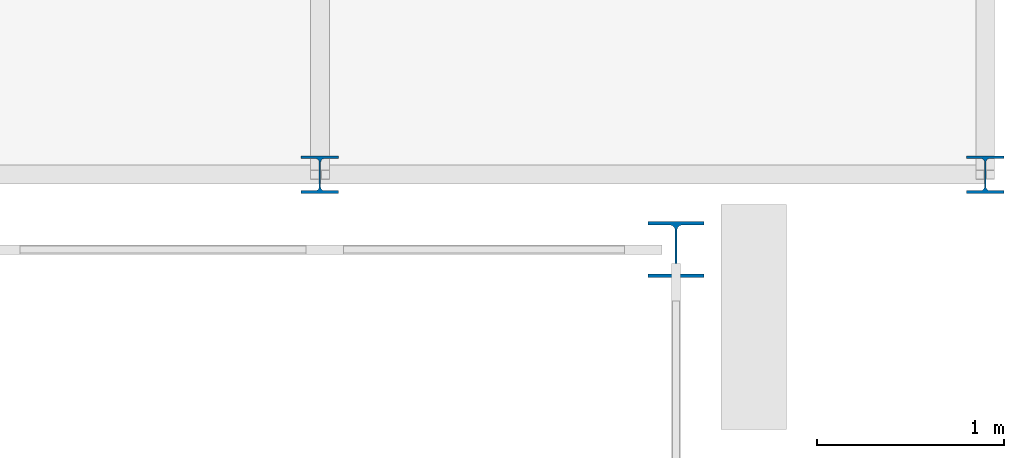
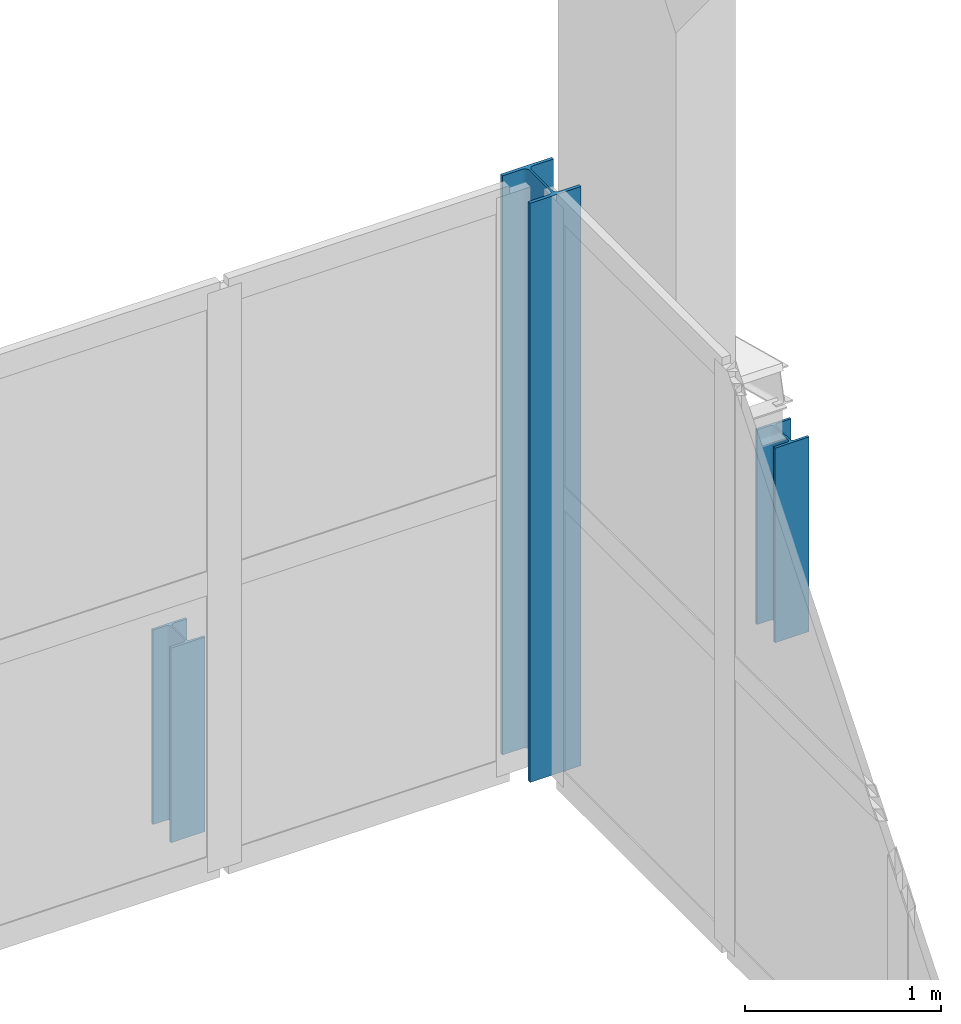
# One storey, part 24 of 124: 3 columns.
"""IFC4 building model written with IfcOpenShell, lengths in metres."""

import ifcopenshell
import ifcopenshell.guid

model = None  # the IFC model being written
_history = None  # IfcOwnerHistory: only IFC2X3 demands one
_inside = {}  # id of a spatial element -> (the spatial element, [elements in it])
_under = {}  # id of a project, library or spatial element -> (it, [spatial elements below it])
_declared = {}  # id of a project -> (the project, [libraries it declares])
_typed = {}  # id of a type object -> (the type object, [elements of that type])
_made_of = {}  # id of a material, layer set ... -> (it, [elements and type objects made of it])


def new_model(schema):
    """Start an empty IFC model of exactly this schema.

    Asked for "IFC4X3", IfcOpenShell would pick the latest addendum, in which some entities
    have other attributes; the version numbers below select the first issue.
    IFC2X3 requires an IfcOwnerHistory on every rooted entity: one is made here for all.
    """
    global model, _history
    if schema == "IFC4X3":
        model = ifcopenshell.file(schema_version=(4, 3, 0, 0))
    else:
        model = ifcopenshell.file(schema=schema)
    _inside.clear()
    _under.clear()
    _declared.clear()
    _typed.clear()
    _made_of.clear()
    _history = None
    if model.schema == "IFC2X3":
        org = make("IfcOrganization", Name="unknown")
        user = make(
            "IfcPersonAndOrganization",
            ThePerson=make("IfcPerson", FamilyName="unknown"),
            TheOrganization=org,
        )
        app = make(
            "IfcApplication",
            ApplicationDeveloper=org,
            Version="unknown",
            ApplicationFullName="unknown",
            ApplicationIdentifier="unknown",
        )
        _history = make(
            "IfcOwnerHistory",
            OwningUser=user,
            OwningApplication=app,
            ChangeAction="ADDED",
            CreationDate=0,
        )
    return model


def make(cls, **values):
    """One entity of the class cls with the attributes given. An attribute that is None is left unset."""
    return model.create_entity(
        cls, **{name: value for name, value in values.items() if value is not None}
    )


def rooted(cls, **values):
    """An entity with a GlobalId (a new one), such as an element, a storey or a relation."""
    return make(cls, GlobalId=ifcopenshell.guid.new(), OwnerHistory=_history, **values)


def si_unit(unit_type, name, prefix=None):
    """IfcSIUnit, for example si_unit("LENGTHUNIT", "METRE", prefix="MILLI")."""
    return make("IfcSIUnit", UnitType=unit_type, Prefix=prefix, Name=name)


def assignment(units):
    """IfcUnitAssignment: the units of a project."""
    return None if units is None else make("IfcUnitAssignment", Units=units)


def point(xyz):
    """IfcCartesianPoint."""
    return None if xyz is None else make("IfcCartesianPoint", Coordinates=xyz)


def direction(xyz):
    """IfcDirection."""
    return None if xyz is None else make("IfcDirection", DirectionRatios=xyz)


def frame(location, z_axis=None, x_axis=None):
    """IfcAxis2Placement3D, a coordinate frame: its origin and axes. An axis left out is left unset."""
    return make(
        "IfcAxis2Placement3D",
        Location=point(location),
        Axis=direction(z_axis),
        RefDirection=direction(x_axis),
    )


def frame_2d(location, x_axis=None):
    """IfcAxis2Placement2D, a coordinate frame in the plane: its origin and x axis."""
    return make(
        "IfcAxis2Placement2D", Location=point(location), RefDirection=direction(x_axis)
    )


def origin():
    """The frame at (0, 0, 0) with its axes left unset."""
    return frame((0.0, 0.0, 0.0))


def origin_2d():
    """The frame at (0, 0) in the plane with its x axis left unset."""
    return frame_2d((0.0, 0.0))


def place(relative_to, where):
    """IfcLocalPlacement: puts the frame where relative to a parent placement (None: the world)."""
    return make(
        "IfcLocalPlacement", PlacementRelTo=relative_to, RelativePlacement=where
    )


def context(
    kind, dimensions, precision=None, world=None, true_north=None, identifier=None
):
    """IfcGeometricRepresentationContext, for example the 3D "Model" context."""
    return make(
        "IfcGeometricRepresentationContext",
        ContextIdentifier=identifier,
        ContextType=kind,
        CoordinateSpaceDimension=dimensions,
        Precision=precision,
        WorldCoordinateSystem=world,
        TrueNorth=true_north,
    )


def subcontext(parent, identifier, kind, view, scale=None):
    """IfcGeometricRepresentationSubContext, for example "Body" below "Model"."""
    return make(
        "IfcGeometricRepresentationSubContext",
        ContextIdentifier=identifier,
        ContextType=kind,
        ParentContext=parent,
        TargetScale=scale,
        TargetView=view,
    )


def project(units=None, contexts=None):
    """IfcProject with its units and contexts."""
    return rooted(
        "IfcProject",
        Name="project",
        RepresentationContexts=contexts,
        UnitsInContext=assignment(units),
    )


def spatial(cls, under=None, at=None, **own):
    """A site, building, storey or space (cls), placed at a placement, below another one or the project."""
    s = rooted(cls, ObjectPlacement=at, **own)
    if under is not None:
        _under.setdefault(under.id(), (under, []))[1].append(s)
    return s


def profile(cls, at=None, kind="AREA", **sizes):
    """A parametric profile (cls). Its sizes go by their IFC names, for example OverallWidth=200.0."""
    return make(cls, ProfileType=kind, Position=at, **sizes)


def i_section(**sizes):
    """IfcIShapeProfileDef."""
    return profile("IfcIShapeProfileDef", **sizes)


def extrude(swept, where, along, depth):
    """IfcExtrudedAreaSolid: the profile swept, set in the frame where, extruded along a direction by depth."""
    return make(
        "IfcExtrudedAreaSolid",
        SweptArea=swept,
        Position=where,
        ExtrudedDirection=direction(along),
        Depth=depth,
    )


def shape(context_of_items, identifier, shape_type, items):
    """IfcShapeRepresentation: the items that make up one representation, for example the "Body"."""
    return make(
        "IfcShapeRepresentation",
        ContextOfItems=context_of_items,
        RepresentationIdentifier=identifier,
        RepresentationType=shape_type,
        Items=items,
    )


def material(Name=None, Category=None):
    """IfcMaterial."""
    return make("IfcMaterial", Name=Name, Category=Category)


def material_profile(
    of_material, cross_section, Name=None, Category=None, Priority=None
):
    """IfcMaterialProfile: a cross section and its material."""
    return make(
        "IfcMaterialProfile",
        Name=Name,
        Material=of_material,
        Profile=cross_section,
        Priority=Priority,
        Category=Category,
    )


def profile_set(profiles, Name=None, composite=None):
    """IfcMaterialProfileSet."""
    return make(
        "IfcMaterialProfileSet",
        Name=Name,
        MaterialProfiles=profiles,
        CompositeProfile=composite,
    )


def made_of(thing, what):
    """Note that an element or type object is made of a material, layer set ...; save() writes the relation."""
    if what is not None:
        _made_of.setdefault(what.id(), (what, []))[1].append(thing)
    return thing


def type_object(cls, material=None, **own):
    """A type object (cls), such as IfcWallType, which elements share."""
    return made_of(rooted(cls, **own), material)


def element(
    cls,
    number,
    at=None,
    inside=None,
    cuts=None,
    type_object=None,
    material=None,
    context=None,
    identifier="Body",
    shape_type=None,
    held_by="IfcProductDefinitionShape",
    body=None,
    shapes=None,
    **own,
):
    """One element of the class cls, such as IfcWall. Its Tag is "e" and its number.

    at: its placement. inside: the storey or other place that contains it. cuts: it is an
    opening in that element (IfcRelVoidsElement). A single representation is given by context,
    identifier, shape_type and body (its items); several are given by shapes. held_by: the class
    of the entity that holds the representations. save() writes the other relations.
    """
    e = rooted(cls, Tag="e%d" % number, ObjectPlacement=at, **own)
    if body is not None:
        shapes = [shape(context, identifier, shape_type, body)]
    if shapes is not None:
        e.Representation = make(held_by, Representations=shapes)
    if inside is not None:
        _inside.setdefault(inside.id(), (inside, []))[1].append(e)
    if cuts is not None:
        rooted(
            "IfcRelVoidsElement", RelatingBuildingElement=cuts, RelatedOpeningElement=e
        )
    if type_object is not None:
        _typed.setdefault(type_object.id(), (type_object, []))[1].append(e)
    return made_of(e, material)


def aggregate(whole, parts):
    """IfcRelAggregates: a whole, such as a stair, and the parts it consists of."""
    return rooted("IfcRelAggregates", RelatingObject=whole, RelatedObjects=parts)


def save(model, path):
    """Write the relations noted so far, then the file.

    IfcRelAggregates (storeys below a building ...), IfcRelContainedInSpatialStructure (elements
    in a storey), IfcRelDefinesByType, IfcRelAssociatesMaterial and IfcRelDeclares: one each for
    every whole, place, type object, material and project.
    """
    for whole, parts in _under.values():
        aggregate(whole, parts)
    for where, things in _inside.values():
        rooted(
            "IfcRelContainedInSpatialStructure",
            RelatedElements=things,
            RelatingStructure=where,
        )
    for kind, things in _typed.values():
        rooted("IfcRelDefinesByType", RelatedObjects=things, RelatingType=kind)
    for what, things in _made_of.values():
        rooted("IfcRelAssociatesMaterial", RelatedObjects=things, RelatingMaterial=what)
    for by, libraries in _declared.values():
        rooted("IfcRelDeclares", RelatingContext=by, RelatedDefinitions=libraries)
    model.write(path)


model = new_model("IFC4")

# Units and contexts
model_context = context("Model", 3, precision=1e-05, world=origin(), true_north=direction((0.0, 1.0)))
body_context = subcontext(model_context, "Body", "Model", "MODEL_VIEW")
ifc_project = project(units=[si_unit("LENGTHUNIT", "METRE"), si_unit("AREAUNIT", "SQUARE_METRE"), si_unit("VOLUMEUNIT", "CUBIC_METRE"), si_unit("PLANEANGLEUNIT", "RADIAN"), si_unit("MASSUNIT", "GRAM", prefix="KILO")], contexts=[model_context])

# Site, building, storey
site_placement = place(None, origin())
site = spatial("IfcSite", under=ifc_project, at=site_placement, CompositionType="ELEMENT")
building_placement = place(site_placement, origin())
building = spatial("IfcBuilding", under=site, at=building_placement, Name="Kupolbacken Congress Centre", CompositionType="ELEMENT")
storey_placement = place(building_placement, frame((0.0, 0.0, 10.800048828125)))
storey = spatial("IfcBuildingStorey", under=building, at=storey_placement, Name="L03", CompositionType="ELEMENT", Elevation=10.800048828125)

# Columns
ifc_material_1 = material(Name="Steel S355", Category="steel")
ifc_material_profile_1 = material_profile(ifc_material_1, i_section(OverallWidth=0.300048828125, OverallDepth=0.300048828125, WebThickness=0.010986328125, FlangeThickness=0.01904296875, FilletRadius=0.027099609375, at=origin_2d()), Name="HEB 300")
ifc_profile_set_1 = profile_set([ifc_material_profile_1], Name="Steel S355")
column_type_1 = type_object("IfcColumnType", Name="C06 column HEB 300", PredefinedType="COLUMN", material=ifc_profile_set_1)
column_placement = place(storey_placement, frame((201.60009765625, 151.199951171875, 0.0), z_axis=(0.0, 0.0, 1.0), x_axis=(1.0, 0.0, 0.0)))
element("IfcColumn", 1, at=column_placement, inside=storey, type_object=column_type_1, Name="S/col/C-B-B8N/L03", PredefinedType="COLUMN", context=body_context, shape_type="SweptSolid", body=[
    extrude(i_section(OverallWidth=0.300048828125, OverallDepth=0.300048828125, WebThickness=0.010986328125, FlangeThickness=0.01904296875, FilletRadius=0.027099609375, at=origin_2d()), origin(), (0.0, 0.0, 1.0), 3.599853515625),
])
ifc_material_2 = material(Name="Steel S355", Category="steel")
ifc_material_profile_2 = material_profile(ifc_material_2, i_section(OverallWidth=0.199951171875, OverallDepth=0.199951171875, WebThickness=0.009033203125, FlangeThickness=0.014892578125, FilletRadius=0.01806640625, at=origin_2d()), Name="HEB 200")
ifc_profile_set_2 = profile_set([ifc_material_profile_2], Name="Steel S355")
column_type_2 = type_object("IfcColumnType", Name="C11 column HEB 200", PredefinedType="COLUMN", material=ifc_profile_set_2)
for number, where, z_axis, x_axis, name in (
    (2, (199.699951171875, 151.60009765625, 0.0), (0.0, 0.0, 1.0), (1.0, 0.0, 0.0), "Covered passage column"),
    (3, (203.25, 151.60009765625, 0.0), (0.0, 0.0, 1.0), (1.0, 0.0, 0.0), "Covered passage column"),
):
    element("IfcColumn", number, at=place(storey_placement, frame(where, z_axis=z_axis, x_axis=x_axis)), inside=storey, type_object=column_type_2, Name=name, PredefinedType="COLUMN", context=body_context, shape_type="SweptSolid", body=[
        extrude(i_section(OverallWidth=0.199951171875, OverallDepth=0.199951171875, WebThickness=0.009033203125, FlangeThickness=0.014892578125, FilletRadius=0.01806640625, at=origin_2d()), origin(), (0.0, 0.0, 1.0), 1.2099609375),
    ])

save(model, "model.ifc")
